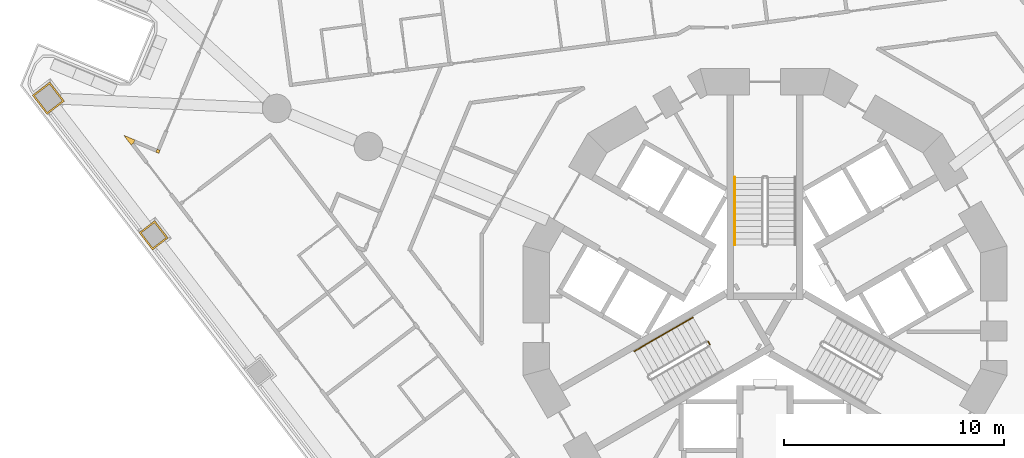
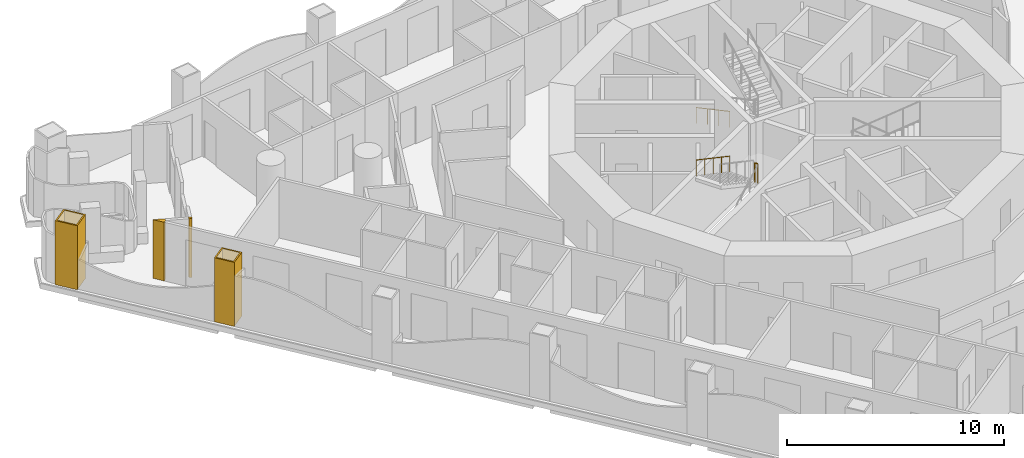
# One storey, part 15 of 19: 4 coverings, 4 railings.
"""IFC4 building model written with IfcOpenShell, lengths in metres."""

from ifc_helpers import new_model, si_unit, direction, frame, origin, origin_2d, place, context, subcontext, project, spatial, polyline, circle, outline, extrude, material, layer, layer_set, type_object, element, save


model = new_model("IFC4")

# Units and contexts
model_context = context("Model", 3, precision=1e-05, world=origin(), true_north=direction((0.0, 1.0)))
body_context = subcontext(model_context, "Body", "Model", "MODEL_VIEW")
ifc_project = project(units=[si_unit("LENGTHUNIT", "METRE"), si_unit("AREAUNIT", "SQUARE_METRE"), si_unit("VOLUMEUNIT", "CUBIC_METRE"), si_unit("PLANEANGLEUNIT", "RADIAN"), si_unit("MASSUNIT", "GRAM", prefix="KILO")], contexts=[model_context])

# Site, building, storey
site_placement = place(None, origin())
site = spatial("IfcSite", under=ifc_project, at=site_placement, CompositionType="ELEMENT")
building_placement = place(site_placement, origin())
building = spatial("IfcBuilding", under=site, at=building_placement, Name="Trine Commons Tower", CompositionType="ELEMENT")
storey_placement = place(building_placement, frame((0.0, 0.0, 68.39990234375)))
storey = spatial("IfcBuildingStorey", under=building, at=storey_placement, Name="L16", CompositionType="ELEMENT", Elevation=68.39990234375)

# Coverings
ifc_material_1 = material(Name="Aluminium-framed insulated wall panel", Category="aluminium")
ifc_layer_1 = layer(ifc_material_1, 0.14990234375)
ifc_layer_set_1 = layer_set([ifc_layer_1], Name="Aluminium-framed insulated wall panel")
covering_type_1 = type_object("IfcCoveringType", Name="Glazing corner post, aluminium", PredefinedType="CLADDING", material=ifc_layer_set_1)
covering_1_placement = place(storey_placement, origin())
element("IfcCovering", 1, at=covering_1_placement, inside=storey, type_object=covering_type_1, Name="Glazing corner post 2-01", PredefinedType="CLADDING", context=body_context, shape_type="SweptSolid", body=[
    extrude(outline(polyline([(51.165771484375, 70.038330078125), (51.28466796875, 70.129638671875), (51.342041015625, 70.268310546875), (50.824951171875, 70.482421875), (51.165771484375, 70.038330078125)])), origin(), (0.0, 0.0, 1.0), 3.300048828125),
])
covering_2_placement = place(storey_placement, origin())
element("IfcCovering", 2, at=covering_2_placement, inside=storey, type_object=covering_type_1, Name="Glazing corner post 2-02", PredefinedType="CLADDING", context=body_context, shape_type="SweptSolid", body=[
    extrude(outline(polyline([(52.28759765625, 69.714111328125), (52.42626953125, 69.65673828125), (52.483642578125, 69.79541015625), (52.34521484375, 69.852783203125), (52.28759765625, 69.714111328125)])), origin(), (0.0, 0.0, 1.0), 3.300048828125),
])
ifc_material_2 = material(Name="Limestone, honed", Category="masonry")
ifc_layer_2 = layer(ifc_material_2, 0.074951171875)
ifc_layer_set_2 = layer_set([ifc_layer_2], Name="Limestone, honed")
covering_type_2 = type_object("IfcCoveringType", Name="Limestone column cladding 75", PredefinedType="CLADDING", material=ifc_layer_set_2)
covering_3_placement = place(storey_placement, origin())
element("IfcCovering", 3, at=covering_3_placement, inside=storey, type_object=covering_type_2, Name="Limestone pier cladding 2-07", PredefinedType="CLADDING", context=body_context, shape_type="SweptSolid", body=[
    extrude(outline(polyline([(52.240966796875, 66.599853515625), (51.527099609375, 66.052001953125), (52.1357421875, 65.2587890625), (52.849853515625, 65.806640625), (52.240966796875, 66.599853515625)]), holes=[polyline([(52.227294921875, 66.494873046875), (51.632080078125, 66.0380859375), (52.149658203125, 65.36376953125), (52.74462890625, 65.8203125), (52.227294921875, 66.494873046875)])]), origin(), (0.0, 0.0, 1.0), 3.60009765625),
])
covering_4_placement = place(storey_placement, origin())
element("IfcCovering", 4, at=covering_4_placement, inside=storey, type_object=covering_type_2, Name="Limestone pier cladding 2-08", PredefinedType="CLADDING", context=body_context, shape_type="SweptSolid", body=[
    extrude(outline(polyline([(47.465087890625, 72.90625), (46.671630859375, 72.297607421875), (47.34130859375, 71.4248046875), (48.134765625, 72.033447265625), (47.465087890625, 72.90625)]), holes=[polyline([(47.451171875, 72.801025390625), (46.77685546875, 72.28369140625), (47.355224609375, 71.52978515625), (48.029541015625, 72.04736328125), (47.451171875, 72.801025390625)])]), origin(), (0.0, 0.0, 1.0), 3.60009765625),
])

# Railings
ifc_material_3 = material(Name="Stainless steel balustrade", Category="steel")
railing_type_1 = type_object("IfcRailingType", Name="Stair guard, steel balustrade 1100", PredefinedType="GUARDRAIL", material=ifc_material_3)
railing_1_placement = place(storey_placement, frame((77.490966796875, 60.96484375, 1.800048828125)))
element("IfcRailing", 5, at=railing_1_placement, inside=storey, type_object=railing_type_1, Name="L16 ST2A stair guard 2", PredefinedType="GUARDRAIL", context=body_context, shape_type="SweptSolid", body=[
    extrude(circle(Radius=0.02392578125, at=origin_2d()), frame((0.0, 0.0, 1.076171875), z_axis=(-0.501036270542, 0.865426285481, 0.0), x_axis=(-0.865426285481, -0.501036270542, 0.0)), (0.0, 0.0, 1.0), 0.150146484375),
    extrude(circle(Radius=0.02099609375, at=origin_2d()), origin(), (0.0, 0.0, 1.0), 1.052001953125),
    extrude(circle(Radius=0.02099609375, at=origin_2d()), frame((-0.0751953125, 0.1298828125, 0.0)), (0.0, 0.0, 1.0), 1.052001953125),
])
ifc_material_4 = material(Name="Stainless steel handrail", Category="steel")
railing_type_2 = type_object("IfcRailingType", Name="Stair handrail, steel 900", PredefinedType="HANDRAIL", material=ifc_material_4)
railing_2_placement = place(storey_placement, frame((78.625, 68.570556640625, 0.150146484375)))
element("IfcRailing", 6, at=railing_2_placement, inside=storey, type_object=railing_type_2, Name="L16 ST1A stair handrail 1", PredefinedType="HANDRAIL", context=body_context, shape_type="SweptSolid", body=[
    extrude(circle(Radius=0.02099609375, at=origin_2d()), frame((0.0, 0.0, 0.87890625), z_axis=(0.0, -0.881496589024, 0.472190389079), x_axis=(1.0, 0.0, 0.0)), (0.0, 0.0, 1.0), 3.494140625),
    extrude(circle(Radius=0.01513671875, at=origin_2d()), origin(), (0.0, 0.0, 1.0), 0.85791015625),
    extrude(circle(Radius=0.01513671875, at=origin_2d()), frame((0.0, -1.026611328125, 0.550048828125)), (0.0, 0.0, 1.0), 0.85791015625),
    extrude(circle(Radius=0.01513671875, at=origin_2d()), frame((0.0, -2.053466796875, 1.099853515625)), (0.0, 0.0, 1.0), 0.85791015625),
    extrude(circle(Radius=0.01513671875, at=origin_2d()), frame((0.0, -3.080078125, 1.64990234375)), (0.0, 0.0, 1.0), 0.85791015625),
])
for number, where, name in (
    (7, (76.72265625, 62.195556640625, 1.9501953125), "L16 ST2A stair handrail 3"),
    (8, (75.388916015625, 61.425537109375, 2.775146484375), "L16 ST2A stair handrail 4"),
):
    element("IfcRailing", number, at=place(storey_placement, frame(where)), inside=storey, type_object=railing_type_2, Name=name, PredefinedType="HANDRAIL", context=body_context, shape_type="SweptSolid", body=[
        extrude(circle(Radius=0.02099609375, at=origin_2d()), frame((0.0, 0.0, 0.87890625), z_axis=(-0.76340495495, -0.440743040072, 0.472184759798), x_axis=(0.499992328818, -0.866029832698, 0.0)), (0.0, 0.0, 1.0), 1.7470703125),
        extrude(circle(Radius=0.01513671875, at=origin_2d()), origin(), (0.0, 0.0, 1.0), 0.85791015625),
        extrude(circle(Radius=0.01513671875, at=origin_2d()), frame((-0.6669921875, -0.385009765625, 0.41259765625)), (0.0, 0.0, 1.0), 0.85791015625),
        extrude(circle(Radius=0.01513671875, at=origin_2d()), frame((-1.333740234375, -0.77001953125, 0.824951171875)), (0.0, 0.0, 1.0), 0.85791015625),
    ])

save(model, "model.ifc")
